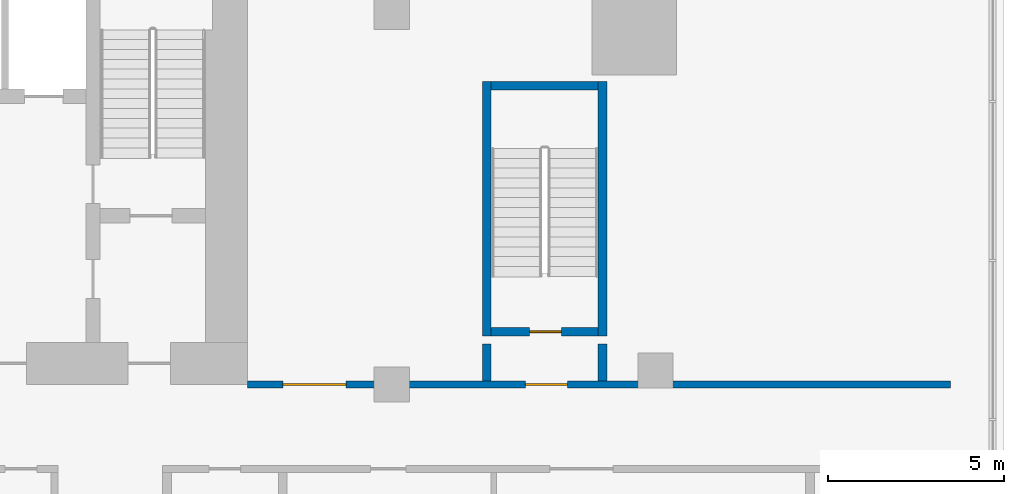
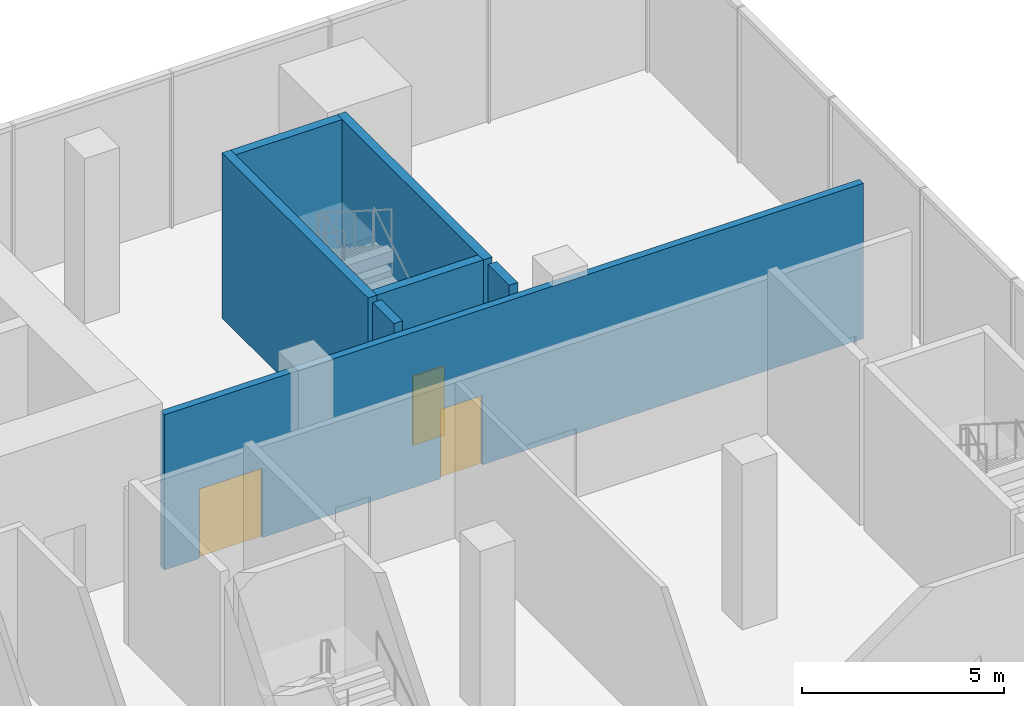
# One storey, part 15 of 20: 7 walls, 3 doors, 3 openings.
"""IFC4 building model written with IfcOpenShell, lengths in metres."""

from ifc_helpers import new_model, si_unit, direction, frame, frame_2d, origin, place, context, subcontext, project, spatial, rectangle, extrude, material, layer, layer_set, type_object, element, fill, save


model = new_model("IFC4")

# Units and contexts
model_context = context("Model", 3, precision=1e-05, world=origin(), true_north=direction((0.0, 1.0)))
body_context = subcontext(model_context, "Body", "Model", "MODEL_VIEW")
ifc_project = project(units=[si_unit("LENGTHUNIT", "METRE"), si_unit("AREAUNIT", "SQUARE_METRE"), si_unit("VOLUMEUNIT", "CUBIC_METRE"), si_unit("PLANEANGLEUNIT", "RADIAN"), si_unit("MASSUNIT", "GRAM", prefix="KILO")], contexts=[model_context])

# Site, building, storey
site_placement = place(None, origin())
site = spatial("IfcSite", under=ifc_project, at=site_placement, CompositionType="ELEMENT")
building_placement = place(site_placement, origin())
building = spatial("IfcBuilding", under=site, at=building_placement, Name="Bicima Exchange Tower", CompositionType="ELEMENT")
storey_placement = place(building_placement, frame((0.0, 0.0, 25.0)))
storey = spatial("IfcBuildingStorey", under=building, at=storey_placement, Name="L04", CompositionType="ELEMENT", Elevation=25.0)

# Wall, openings, doors
ifc_material_1 = material(Name="Gypsum board partition")
ifc_layer_1 = layer(ifc_material_1, 0.199951171875)
ifc_layer_set_1 = layer_set([ifc_layer_1], Name="Gypsum board partition")
wall_type_1 = type_object("IfcWallType", Name="Fire-rated gypsum partition 200 EI60", PredefinedType="PARTITIONING", material=ifc_layer_set_1)
wall_1_placement = place(storey_placement, frame((22.0, -13.0, 0.0), z_axis=(0.0, 0.0, 1.0), x_axis=(1.0, 0.0, 0.0)))
wall_1 = element("IfcWall", 1, at=wall_1_placement, inside=storey, type_object=wall_type_1, Name="partition wall 20", PredefinedType="PARTITIONING", context=body_context, shape_type="SweptSolid", body=[
    extrude(rectangle(XDim=20.0, YDim=0.199951171875, at=frame_2d((10.0, 0.0))), origin(), (0.0, 0.0, 1.0), 4.699951171875),
])
opening_1_placement = place(wall_1_placement, frame((7.89990234375, 0.0, 0.0)))
opening_1 = element("IfcOpeningElement", 2, at=opening_1_placement, cuts=wall_1, Name="Opening L04-011", PredefinedType="OPENING", context=body_context, shape_type="SweptSolid", body=[
    extrude(rectangle(XDim=1.199951171875, YDim=2.10009765625, at=frame_2d((0.60009765625, 1.050048828125))), frame((0.0, 0.11181640625, 0.0), z_axis=(0.0, -1.0, 0.0), x_axis=(1.0, 0.0, 0.0)), (0.0, 0.0, 1.0), 0.223876953125),
])
opening_2_placement = place(wall_1_placement, frame((1.0, 0.0, 0.0)))
opening_2 = element("IfcOpeningElement", 3, at=opening_2_placement, cuts=wall_1, Name="Opening L04-014", PredefinedType="OPENING", context=body_context, shape_type="SweptSolid", body=[
    extrude(rectangle(XDim=1.800048828125, YDim=2.10009765625, at=frame_2d((0.89990234375, 1.050048828125))), frame((0.0, 0.11181640625, 0.0), z_axis=(0.0, -1.0, 0.0), x_axis=(1.0, 0.0, 0.0)), (0.0, 0.0, 1.0), 0.223876953125),
])
ifc_material_2 = material(Name="Steel fire door leaf", Category="steel")
door_type_1 = type_object("IfcDoorType", Name="Door 1200 swing FD30S", OperationType="SINGLE_SWING_LEFT", PredefinedType="DOOR", material=ifc_material_2)
door_1_placement = place(opening_1_placement, origin())
door_1 = element("IfcDoor", 4, at=door_1_placement, inside=storey, type_object=door_type_1, Name="Door", OperationType="SINGLE_SWING_LEFT", OverallHeight=2.10009765625, OverallWidth=1.199951171875, PredefinedType="DOOR", context=body_context, shape_type="SweptSolid", body=[
    extrude(rectangle(XDim=1.199951171875, YDim=2.10009765625, at=frame_2d((0.60009765625, 1.050048828125))), frame((0.0, 0.02490234375, 0.0), z_axis=(0.0, -1.0, 0.0), x_axis=(1.0, 0.0, 0.0)), (0.0, 0.0, 1.0), 0.050048828125),
])
fill(opening_1, door_1)
door_type_2 = type_object("IfcDoorType", Name="Door 1800 double swing FD30S", OperationType="DOUBLE_DOOR_SINGLE_SWING", PredefinedType="DOOR", material=ifc_material_2)
door_2_placement = place(opening_2_placement, origin())
door_2 = element("IfcDoor", 5, at=door_2_placement, inside=storey, type_object=door_type_2, Name="Door", OperationType="SINGLE_SWING_LEFT", OverallHeight=2.10009765625, OverallWidth=1.800048828125, PredefinedType="DOOR", context=body_context, shape_type="SweptSolid", body=[
    extrude(rectangle(XDim=1.800048828125, YDim=2.10009765625, at=frame_2d((0.89990234375, 1.050048828125))), frame((0.0, 0.02490234375, 0.0), z_axis=(0.0, -1.0, 0.0), x_axis=(1.0, 0.0, 0.0)), (0.0, 0.0, 1.0), 0.050048828125),
])
fill(opening_2, door_2)

# Walls
ifc_material_3 = material(Name="Concrete C50/60", Category="concrete")
ifc_layer_2 = layer(ifc_material_3, 0.25)
ifc_layer_set_2 = layer_set([ifc_layer_2], Name="Concrete C50/60")
wall_type_2 = type_object("IfcWallType", Name="RC core wall 250 C50/60", PredefinedType="SHEAR", material=ifc_layer_set_2)
for number, where, z_axis, x_axis, name in (
    (6, (28.800048828125, -12.89990234375, 0.0), (0.0, 0.0, 1.0), (0.0, 1.0, 0.0), "stair wall 52"),
    (7, (32.10009765625, -12.89990234375, 0.0), (0.0, 0.0, 1.0), (0.0, 1.0, 0.0), "stair wall 55"),
):
    element("IfcWall", number, at=place(storey_placement, frame(where, z_axis=z_axis, x_axis=x_axis)), inside=storey, type_object=wall_type_2, Name=name, PredefinedType="SHEAR", context=body_context, shape_type="SweptSolid", body=[
        extrude(rectangle(XDim=1.0498046875, YDim=0.25, at=frame_2d((0.52490234375, 0.0))), origin(), (0.0, 0.0, 1.0), 5.0),
    ])
ifc_layer_3 = layer(ifc_material_3, 0.25)
ifc_layer_set_3 = layer_set([ifc_layer_3], Name="Concrete C50/60")
wall_type_3 = type_object("IfcWallType", Name="RC stair enclosure wall 250 C50/60", PredefinedType="SHEAR", material=ifc_layer_set_3)
for number, where, z_axis, x_axis, name in (
    (8, (28.800048828125, -11.625, 0.0), (0.0, 0.0, 1.0), (0.0, 1.0, 0.0), "East end exit stair wall W"),
    (9, (32.10009765625, -11.625, 0.0), (0.0, 0.0, 1.0), (0.0, 1.0, 0.0), "East end exit stair wall E"),
):
    element("IfcWall", number, at=place(storey_placement, frame(where, z_axis=z_axis, x_axis=x_axis)), inside=storey, type_object=wall_type_3, Name=name, PredefinedType="SHEAR", context=body_context, shape_type="SweptSolid", body=[
        extrude(rectangle(XDim=7.25, YDim=0.25, at=frame_2d((3.625, 0.0))), origin(), (0.0, 0.0, 1.0), 5.0),
    ])

# Wall, opening, door
wall_2_placement = place(storey_placement, frame((28.925048828125, -11.5, 0.0), z_axis=(0.0, 0.0, 1.0), x_axis=(1.0, 0.0, 0.0)))
wall_2 = element("IfcWall", 10, at=wall_2_placement, inside=storey, type_object=wall_type_3, Name="East end exit stair wall S", PredefinedType="SHEAR", context=body_context, shape_type="SweptSolid", body=[
    extrude(rectangle(XDim=3.050048828125, YDim=0.25, at=frame_2d((1.52490234375, 0.0))), origin(), (0.0, 0.0, 1.0), 5.0),
])
opening_3_placement = place(wall_2_placement, frame((1.10009765625, 0.0, 0.0)))
opening_3 = element("IfcOpeningElement", 11, at=opening_3_placement, cuts=wall_2, Name="Opening L04-012", PredefinedType="OPENING", context=body_context, shape_type="SweptSolid", body=[
    extrude(rectangle(XDim=0.89990234375, YDim=2.10009765625, at=frame_2d((0.449951171875, 1.050048828125))), frame((0.0, 0.136962890625, 0.0), z_axis=(0.0, -1.0, 0.0), x_axis=(1.0, 0.0, 0.0)), (0.0, 0.0, 1.0), 0.27392578125),
])
door_type_3 = type_object("IfcDoorType", Name="Door 900 swing FD60S", OperationType="SINGLE_SWING_LEFT", PredefinedType="DOOR", material=ifc_material_2)
door_3_placement = place(opening_3_placement, origin())
door_3 = element("IfcDoor", 12, at=door_3_placement, inside=storey, type_object=door_type_3, Name="Door", OperationType="SINGLE_SWING_RIGHT", OverallHeight=2.10009765625, OverallWidth=0.89990234375, PredefinedType="DOOR", context=body_context, shape_type="SweptSolid", body=[
    extrude(rectangle(XDim=0.89990234375, YDim=2.10009765625, at=frame_2d((0.449951171875, 1.050048828125))), frame((0.0, 0.02490234375, 0.0), z_axis=(0.0, -1.0, 0.0), x_axis=(1.0, 0.0, 0.0)), (0.0, 0.0, 1.0), 0.050048828125),
])
fill(opening_3, door_3)

# Wall
wall_3_placement = place(storey_placement, frame((28.925048828125, -4.5, 0.0), z_axis=(0.0, 0.0, 1.0), x_axis=(1.0, 0.0, 0.0)))
element("IfcWall", 13, at=wall_3_placement, inside=storey, type_object=wall_type_3, Name="East end exit stair wall N", PredefinedType="SHEAR", context=body_context, shape_type="SweptSolid", body=[
    extrude(rectangle(XDim=3.050048828125, YDim=0.25, at=frame_2d((1.52490234375, 0.0))), origin(), (0.0, 0.0, 1.0), 5.0),
])

save(model, "model.ifc")
